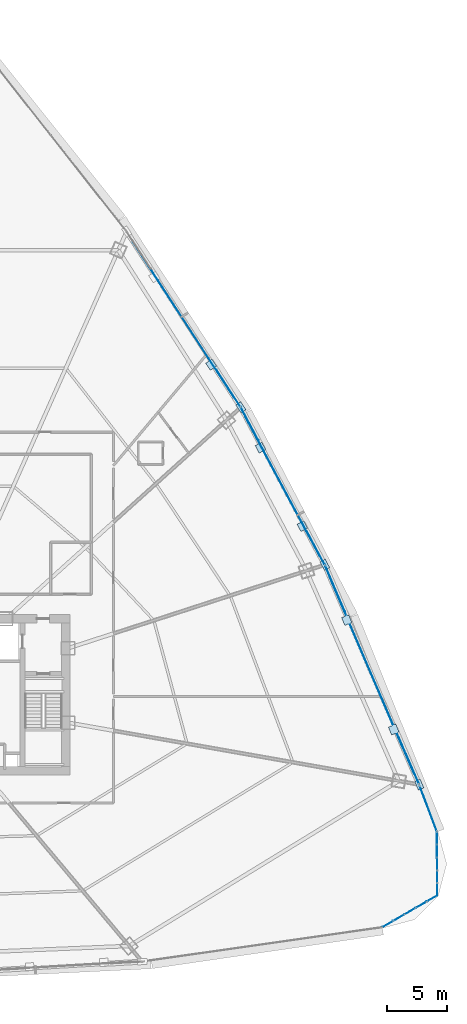
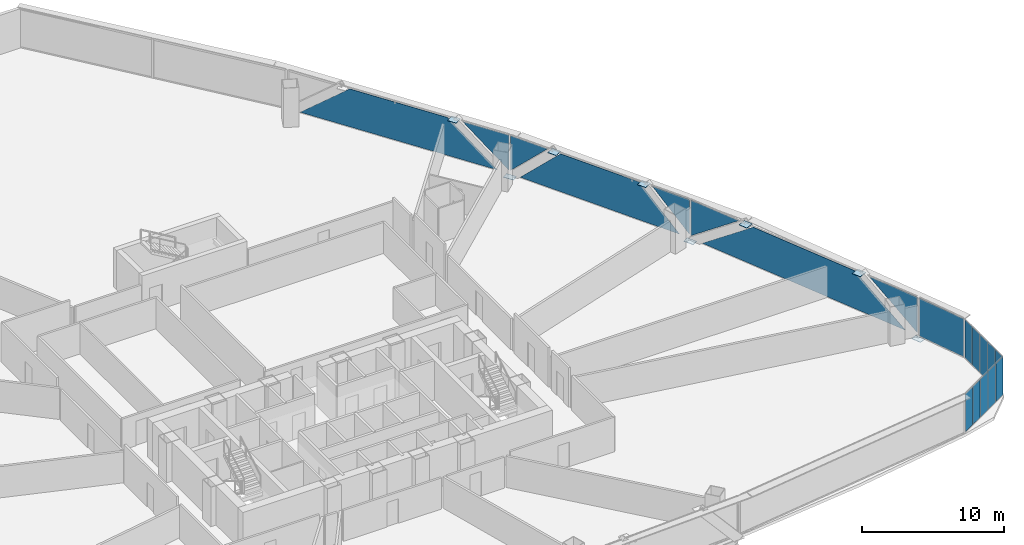
# One storey, part 33 of 42: 27 plates, 6 elements without a shape of their own.
"""IFC4 building model written with IfcOpenShell, lengths in metres."""

from ifc_helpers import new_model, si_unit, direction, frame, origin, origin_2d, place, context, subcontext, project, spatial, polyline, rectangle, outline, extrude, source, transform, mapped, material, layer, layer_set, type_object, element, aggregate, save


model = new_model("IFC4")

# Units and contexts
model_context = context("Model", 3, precision=1e-05, world=origin(), true_north=direction((0.0, 1.0)))
body_context = subcontext(model_context, "Body", "Model", "MODEL_VIEW")
ifc_project = project(units=[si_unit("LENGTHUNIT", "METRE"), si_unit("AREAUNIT", "SQUARE_METRE"), si_unit("VOLUMEUNIT", "CUBIC_METRE"), si_unit("PLANEANGLEUNIT", "RADIAN"), si_unit("MASSUNIT", "GRAM", prefix="KILO"), si_unit("THERMODYNAMICTEMPERATUREUNIT", "KELVIN"), si_unit("POWERUNIT", "WATT")], contexts=[model_context])

# Site, building, storey
site_placement = place(None, origin())
site = spatial("IfcSite", under=ifc_project, at=site_placement, CompositionType="ELEMENT")
building_placement = place(site_placement, origin())
building = spatial("IfcBuilding", under=site, at=building_placement, Name="Yunzhuo Pagoda Commons", CompositionType="ELEMENT")
storey_placement = place(building_placement, frame((0.0, 0.0, 48.550048828125)))
storey = spatial("IfcBuildingStorey", under=building, at=storey_placement, Name="L12", CompositionType="ELEMENT", Elevation=48.550048828125)

# Curtain wall, plates
ifc_material_1 = material(Name="Anodized aluminium 6063-T6", Category="aluminium")
ifc_layer_1 = layer(ifc_material_1, 0.1650390625)
ifc_layer_set_1 = layer_set([ifc_layer_1], Name="Anodized aluminium 6063-T6")
curtain_wall_type_1 = type_object("IfcCurtainWallType", Name="CW-LOW Low-Zone Ribbon Curtain Wall", PredefinedType="NOTDEFINED", material=ifc_layer_set_1)
curtain_wall_1_placement = place(storey_placement, origin())
curtain_wall_1 = element("IfcCurtainWall", 1, at=curtain_wall_1_placement, inside=storey, type_object=curtain_wall_type_1, Name="L12 curtain wall CW-L12-F2B2", PredefinedType="NOTDEFINED")
ifc_material_2 = material(Name="Tempered low-e double glazing", Category="glass")
ifc_layer_2 = layer(ifc_material_2, 0.028076171875)
ifc_layer_set_2 = layer_set([ifc_layer_2], Name="Tempered low-e double glazing")
plate_type_1 = type_object("IfcPlateType", Name="CW-LOW-P Low-E Double Glazing 28", PredefinedType="CURTAIN_PANEL", material=ifc_layer_set_2)
plate_1_placement = place(storey_placement, frame((88.8916015625, 28.322021484375, 1.783447265625), z_axis=(0.918865619656, 0.394570618538, 0.0), x_axis=(-0.394570618538, 0.918865619656, 0.0)))
plate_1 = element("IfcPlate", 2, at=plate_1_placement, type_object=plate_type_1, Name="CW panel 1.1 lite 1", PredefinedType="CURTAIN_PANEL", context=body_context, shape_type="SweptSolid", body=[
    extrude(outline(polyline([(-2.101806640625, -1.526611328125), (2.101806640625, 1.526611328125), (-2.101806640625, 1.526611328125), (-2.101806640625, -1.526611328125)])), origin(), (0.0, 0.0, 1.0), 0.028076171875),
])
plate_2_placement = place(storey_placement, frame((85.775146484375, 35.503662109375, 1.68505859375), z_axis=(0.918865619656, 0.394570618538, 0.0), x_axis=(-0.394570618538, 0.918865619656, 0.0)))
plate_2 = element("IfcPlate", 3, at=plate_2_placement, type_object=plate_type_1, Name="CW panel 1.1 lite 2", PredefinedType="CURTAIN_PANEL", context=body_context, shape_type="SweptSolid", body=[
    extrude(outline(polyline([(-8.908203125, -1.625), (8.908203125, -1.625), (4.43359375, 1.625), (-4.43359375, 1.625), (-8.908203125, -1.625)])), origin(), (0.0, 0.0, 1.0), 0.028076171875),
])
plate_3_placement = place(storey_placement, frame((82.713623046875, 42.708984375, 1.783447265625), z_axis=(0.918865619656, 0.394570618538, 0.0), x_axis=(-0.394570618538, 0.918865619656, 0.0)))
plate_3 = element("IfcPlate", 4, at=plate_3_placement, type_object=plate_type_1, Name="CW panel 1.1 lite 3", PredefinedType="CURTAIN_PANEL", context=body_context, shape_type="SweptSolid", body=[
    extrude(outline(polyline([(-2.101806640625, 1.526611328125), (2.101806640625, -1.526611328125), (2.101806640625, 1.526611328125), (-2.101806640625, 1.526611328125)])), origin(), (0.0, 0.0, 1.0), 0.028076171875),
])
aggregate(curtain_wall_1, [plate_1, plate_2, plate_3])

curtain_wall_2_placement = place(storey_placement, origin())
curtain_wall_2 = element("IfcCurtainWall", 5, at=curtain_wall_2_placement, inside=storey, type_object=curtain_wall_type_1, Name="L12 curtain wall CW-L12-F2B3", PredefinedType="NOTDEFINED")
plate_4_placement = place(storey_placement, frame((81.108642578125, 46.10595703125, 1.821533203125), z_axis=(0.88230916381, 0.470670308662, 0.0), x_axis=(-0.470670308662, 0.88230916381, 0.0)))
plate_4 = element("IfcPlate", 6, at=plate_4_placement, type_object=plate_type_1, Name="CW panel 1.1 lite 1", PredefinedType="CURTAIN_PANEL", context=body_context, shape_type="SweptSolid", body=[
    extrude(outline(polyline([(-1.52978515625, -1.48828125), (1.52978515625, 1.48828125), (-1.52978515625, 1.48828125), (-1.52978515625, -1.48828125)])), origin(), (0.0, 0.0, 1.0), 0.028076171875),
])
plate_5_placement = place(storey_placement, frame((78.320556640625, 51.268798828125, 1.68505859375), z_axis=(0.88230916381, 0.470670308662, 0.0), x_axis=(-0.470670308662, 0.88230916381, 0.0)))
plate_5 = element("IfcPlate", 7, at=plate_5_placement, type_object=plate_type_1, Name="CW panel 1.1 lite 2", PredefinedType="CURTAIN_PANEL", context=body_context, shape_type="SweptSolid", body=[
    extrude(outline(polyline([(-6.58837890625, -1.625), (6.58837890625, -1.625), (3.247802734375, 1.625), (-3.247802734375, 1.625), (-6.58837890625, -1.625)])), origin(), (0.0, 0.0, 1.0), 0.028076171875),
])
plate_6_placement = place(storey_placement, frame((75.58544921875, 56.459716796875, 1.821533203125), z_axis=(0.88230916381, 0.470670308662, 0.0), x_axis=(-0.470670308662, 0.88230916381, 0.0)))
plate_6 = element("IfcPlate", 8, at=plate_6_placement, type_object=plate_type_1, Name="CW panel 1.1 lite 3", PredefinedType="CURTAIN_PANEL", context=body_context, shape_type="SweptSolid", body=[
    extrude(outline(polyline([(-1.52978515625, 1.48828125), (1.52978515625, -1.48828125), (1.52978515625, 1.48828125), (-1.52978515625, 1.48828125)])), origin(), (0.0, 0.0, 1.0), 0.028076171875),
])
aggregate(curtain_wall_2, [plate_4, plate_5, plate_6])

curtain_wall_3_placement = place(storey_placement, origin())
curtain_wall_3 = element("IfcCurtainWall", 9, at=curtain_wall_3_placement, inside=storey, type_object=curtain_wall_type_1, Name="L12 curtain wall CW-L12-F2B4", PredefinedType="NOTDEFINED")
plate_7_placement = place(storey_placement, frame((73.806884765625, 59.449951171875, 1.798583984375), z_axis=(0.838709783089, 0.54457864423, 0.0), x_axis=(-0.54457864423, 0.838709783089, 0.0)))
plate_7 = element("IfcPlate", 10, at=plate_7_placement, type_object=plate_type_1, Name="CW panel 1.1 lite 1", PredefinedType="CURTAIN_PANEL", context=body_context, shape_type="SweptSolid", body=[
    extrude(outline(polyline([(-1.82373046875, -1.51123046875), (1.82373046875, 1.51123046875), (-1.82373046875, 1.51123046875), (-1.82373046875, -1.51123046875)])), origin(), (0.0, 0.0, 1.0), 0.028076171875),
])
plate_8_placement = place(storey_placement, frame((70.03955078125, 65.197265625, 1.68505859375), z_axis=(0.838709783089, 0.54457864423, 0.0), x_axis=(-0.54457864423, 0.838709783089, 0.0)))
plate_8 = element("IfcPlate", 11, at=plate_8_placement, type_object=plate_type_1, Name="CW panel 1.1 lite 2", PredefinedType="CURTAIN_PANEL", context=body_context, shape_type="SweptSolid", body=[
    extrude(outline(polyline([(-7.779052734375, -1.625), (7.779052734375, -1.625), (3.857177734375, 1.625), (-3.857177734375, 1.625), (-7.779052734375, -1.625)])), origin(), (0.0, 0.0, 1.0), 0.028076171875),
])
aggregate(curtain_wall_3, [plate_7, plate_8])

# Plates
ifc_material_3 = material(Name="Structural steel Q355B", Category="steel")
ifc_layer_3 = layer(ifc_material_3, 0.028076171875)
ifc_layer_set_3 = layer_set([ifc_layer_3], Name="Structural steel Q355B")
plate_type_2 = type_object("IfcPlateType", Name="SP-ND1 Lattice Node Cap Plate 800x500x28", PredefinedType="USERDEFINED", material=ifc_layer_set_3)
shared_shape_1 = source(origin(), body_context, "Body", "SweptSolid", [
    extrude(rectangle(XDim=0.800048828125, YDim=0.5, at=origin_2d()), origin(), (0.0, 0.0, 1.0), 0.028076171875),
])
for number, where, z_axis, x_axis, name in (
    (12, (89.759521484375, 26.336669921875, -0.27392578125), (0.0, 0.0, 1.0), (-0.394567453861, 0.918866978596, 0.0), "L12 diamond node plate F2.1A"),
    (13, (81.87158203125, 44.70556640625, -0.27392578125), (0.0, 0.0, 1.0), (-0.470673134105, 0.882307656564, 0.0), "L12 diamond node plate F2.2A"),
    (14, (74.847412109375, 57.873291015625, -0.27392578125), (0.0, 0.0, 1.0), (-0.544580483437, 0.838708588879, 0.0), "L12 diamond node plate F2.3A"),
):
    element("IfcPlate", number, at=place(storey_placement, frame(where, z_axis=z_axis, x_axis=x_axis)), inside=storey, type_object=plate_type_2, Name=name, ObjectType="STIFFENER_PLATE", PredefinedType="USERDEFINED", context=body_context, shape_type="MappedRepresentation", body=[
        mapped(shared_shape_1, transform((0.0, 0.0, 0.0), scale=1.0)),
    ])
shared_shape_2 = source(origin(), body_context, "Body", "SweptSolid", [
    extrude(rectangle(XDim=0.699951171875, YDim=0.672119140625, at=origin_2d()), origin(), (0.0, 0.0, 1.0), 0.035888671875),
])
plate_9_placement = place(storey_placement, frame((87.626953125, 30.9404296875, 3.33203125), z_axis=(0.0, 0.0, 1.0), x_axis=(-0.394567453861, 0.918866978596, 0.0)))
element("IfcPlate", 15, at=plate_9_placement, inside=storey, type_object=plate_type_2, Name="L12 setback lattice tie plate F2.1L", ObjectType="STIFFENER_PLATE", PredefinedType="USERDEFINED", context=body_context, shape_type="MappedRepresentation", body=[
    mapped(shared_shape_2, transform((0.0, 0.0, 0.0), scale=1.0)),
])
shared_shape_3 = source(origin(), body_context, "Body", "SweptSolid", [
    extrude(rectangle(XDim=0.699951171875, YDim=0.640625, at=origin_2d()), origin(), (0.0, 0.0, 1.0), 0.035888671875),
])
plate_10_placement = place(storey_placement, frame((83.700439453125, 40.088134765625, 3.33203125), z_axis=(0.0, 0.0, 1.0), x_axis=(-0.394567453861, 0.918866978596, 0.0)))
element("IfcPlate", 16, at=plate_10_placement, inside=storey, type_object=plate_type_2, Name="L12 setback lattice tie plate F2.1R", ObjectType="STIFFENER_PLATE", PredefinedType="USERDEFINED", context=body_context, shape_type="MappedRepresentation", body=[
    mapped(shared_shape_3, transform((0.0, 0.0, 0.0), scale=1.0)),
])
shared_shape_4 = source(origin(), body_context, "Body", "SweptSolid", [
    extrude(rectangle(XDim=0.699951171875, YDim=0.627685546875, at=origin_2d()), origin(), (0.0, 0.0, 1.0), 0.035888671875),
])
plate_11_placement = place(storey_placement, frame((79.98876953125, 47.941162109375, 3.33203125), z_axis=(0.0, 0.0, 1.0), x_axis=(-0.470673134105, 0.882307656564, 0.0)))
element("IfcPlate", 17, at=plate_11_placement, inside=storey, type_object=plate_type_2, Name="L12 setback lattice tie plate F2.2L", ObjectType="STIFFENER_PLATE", PredefinedType="USERDEFINED", context=body_context, shape_type="MappedRepresentation", body=[
    mapped(shared_shape_4, transform((0.0, 0.0, 0.0), scale=1.0)),
])
shared_shape_5 = source(origin(), body_context, "Body", "SweptSolid", [
    extrude(rectangle(XDim=0.699951171875, YDim=0.627197265625, at=origin_2d()), origin(), (0.0, 0.0, 1.0), 0.035888671875),
])
plate_12_placement = place(storey_placement, frame((76.4912109375, 54.5, 3.33203125), z_axis=(0.0, 0.0, 1.0), x_axis=(-0.470673134105, 0.882307656564, 0.0)))
element("IfcPlate", 18, at=plate_12_placement, inside=storey, type_object=plate_type_2, Name="L12 setback lattice tie plate F2.2R", ObjectType="STIFFENER_PLATE", PredefinedType="USERDEFINED", context=body_context, shape_type="MappedRepresentation", body=[
    mapped(shared_shape_5, transform((0.0, 0.0, 0.0), scale=1.0)),
])
shared_shape_6 = source(origin(), body_context, "Body", "SweptSolid", [
    extrude(rectangle(XDim=0.699951171875, YDim=0.63818359375, at=origin_2d()), origin(), (0.0, 0.0, 1.0), 0.035888671875),
])
plate_13_placement = place(storey_placement, frame((72.36669921875, 61.43896484375, 3.33203125), z_axis=(0.0, 0.0, 1.0), x_axis=(-0.544580483437, 0.838708588879, 0.0)))
element("IfcPlate", 19, at=plate_13_placement, inside=storey, type_object=plate_type_2, Name="L12 setback lattice tie plate F2.3L", ObjectType="STIFFENER_PLATE", PredefinedType="USERDEFINED", context=body_context, shape_type="MappedRepresentation", body=[
    mapped(shared_shape_6, transform((0.0, 0.0, 0.0), scale=1.0)),
])

# Curtain wall, plate
curtain_wall_4_placement = place(storey_placement, origin())
curtain_wall_4 = element("IfcCurtainWall", 20, at=curtain_wall_4_placement, inside=storey, type_object=curtain_wall_type_1, Name="L12 curtain wall CW-L12-F2B1", PredefinedType="NOTDEFINED")
shared_shape_7 = source(origin(), body_context, "Body", "SweptSolid", [
    extrude(rectangle(XDim=4.019775390625, YDim=0.028076171875, at=origin_2d()), origin(), (0.0, 0.0, 1.0), 3.25),
])
plate_14_placement = place(storey_placement, frame((90.518798828125, 24.3251953125, 0.06005859375), z_axis=(0.0, 0.0, 1.0), x_axis=(-0.353150780113, 0.935566420146, 0.0)))
plate_14 = element("IfcPlate", 21, at=plate_14_placement, type_object=plate_type_1, Name="CW panel 1.1", PredefinedType="CURTAIN_PANEL", context=body_context, shape_type="MappedRepresentation", body=[
    mapped(shared_shape_7, transform((0.0, 0.0, 0.0), scale=1.0)),
])
aggregate(curtain_wall_4, [plate_14])

# Curtain wall, plates
ifc_layer_4 = layer(ifc_material_1, 0.1298828125)
ifc_layer_set_4 = layer_set([ifc_layer_4], Name="Anodized aluminium 6063-T6")
curtain_wall_type_2 = type_object("IfcCurtainWallType", Name="CW-VTX Rounded Corner Curtain Wall", PredefinedType="NOTDEFINED", material=ifc_layer_set_4)
curtain_wall_5_placement = place(storey_placement, origin())
curtain_wall_5 = element("IfcCurtainWall", 22, at=curtain_wall_5_placement, inside=storey, type_object=curtain_wall_type_2, Name="L12 curtain wall CW-L12-VTX2S1", PredefinedType="NOTDEFINED")
ifc_layer_5 = layer(ifc_material_2, 0.02587890625)
ifc_layer_set_5 = layer_set([ifc_layer_5], Name="Tempered low-e double glazing")
plate_type_3 = type_object("IfcPlateType", Name="CW-VTX-P Low-E Double Glazing 26", PredefinedType="CURTAIN_PANEL", material=ifc_layer_set_5)
shared_shape_8 = source(origin(), body_context, "Body", "SweptSolid", [
    extrude(rectangle(XDim=0.990478515625, YDim=0.028076171875, at=origin_2d()), origin(), (0.0, 0.0, 1.0), 3.260009765625),
])
plate_15_placement = place(storey_placement, frame((87.144287109375, 14.677001953125, 0.05517578125), z_axis=(0.0, 0.0, 1.0), x_axis=(0.865423307498, 0.501041414295, 0.0)))
plate_15 = element("IfcPlate", 23, at=plate_15_placement, type_object=plate_type_3, Name="CW panel 1.1", PredefinedType="CURTAIN_PANEL", context=body_context, shape_type="MappedRepresentation", body=[
    mapped(shared_shape_8, transform((0.0, 0.0, 0.0), scale=1.0)),
])
plate_16_placement = place(storey_placement, frame((90.83447265625, 16.8134765625, 0.05517578125), z_axis=(0.0, 0.0, 1.0), x_axis=(0.865423307498, 0.501041414295, 0.0)))
plate_16 = element("IfcPlate", 24, at=plate_16_placement, type_object=plate_type_3, Name="CW panel 5.1", PredefinedType="CURTAIN_PANEL", context=body_context, shape_type="MappedRepresentation", body=[
    mapped(shared_shape_8, transform((0.0, 0.0, 0.0), scale=1.0)),
])

curtain_wall_6_placement = place(storey_placement, origin())
curtain_wall_6 = element("IfcCurtainWall", 25, at=curtain_wall_6_placement, inside=storey, type_object=curtain_wall_type_2, Name="L12 curtain wall CW-L12-VTX2S2", PredefinedType="NOTDEFINED")
plate_17_placement = place(storey_placement, frame((91.268798828125, 17.56982421875, 0.05517578125), z_axis=(0.0, 0.0, 1.0), x_axis=(-0.003579061808, 0.999993595138, 0.0)))
plate_17 = element("IfcPlate", 26, at=plate_17_placement, type_object=plate_type_3, Name="CW panel 1.1", PredefinedType="CURTAIN_PANEL", context=body_context, shape_type="MappedRepresentation", body=[
    mapped(shared_shape_8, transform((0.0, 0.0, 0.0), scale=1.0)),
])
plate_18_placement = place(storey_placement, frame((91.25341796875, 21.833984375, 0.05517578125), z_axis=(0.0, 0.0, 1.0), x_axis=(-0.003579061808, 0.999993595138, 0.0)))
plate_18 = element("IfcPlate", 27, at=plate_18_placement, type_object=plate_type_3, Name="CW panel 5.1", PredefinedType="CURTAIN_PANEL", context=body_context, shape_type="MappedRepresentation", body=[
    mapped(shared_shape_8, transform((0.0, 0.0, 0.0), scale=1.0)),
])

# Plate
shared_shape_9 = source(origin(), body_context, "Body", "SweptSolid", [
    extrude(rectangle(XDim=1.017822265625, YDim=0.028076171875, at=origin_2d()), origin(), (0.0, 0.0, 1.0), 3.260009765625),
])
plate_19_placement = place(storey_placement, frame((88.060791015625, 15.20751953125, 0.05517578125), z_axis=(0.0, 0.0, 1.0), x_axis=(0.865423307498, 0.501041414295, 0.0)))
plate_19 = element("IfcPlate", 28, at=plate_19_placement, type_object=plate_type_3, Name="CW panel 2.1", PredefinedType="CURTAIN_PANEL", context=body_context, shape_type="MappedRepresentation", body=[
    mapped(shared_shape_9, transform((0.0, 0.0, 0.0), scale=1.0)),
])

plate_20_placement = place(storey_placement, frame((88.9892578125, 15.7451171875, 0.05517578125), z_axis=(0.0, 0.0, 1.0), x_axis=(0.865423307498, 0.501041414295, 0.0)))
plate_20 = element("IfcPlate", 29, at=plate_20_placement, type_object=plate_type_3, Name="CW panel 3.1", PredefinedType="CURTAIN_PANEL", context=body_context, shape_type="MappedRepresentation", body=[
    mapped(shared_shape_9, transform((0.0, 0.0, 0.0), scale=1.0)),
])

plate_21_placement = place(storey_placement, frame((89.91796875, 16.28271484375, 0.05517578125), z_axis=(0.0, 0.0, 1.0), x_axis=(0.865423307498, 0.501041414295, 0.0)))
plate_21 = element("IfcPlate", 30, at=plate_21_placement, type_object=plate_type_3, Name="CW panel 4.1", PredefinedType="CURTAIN_PANEL", context=body_context, shape_type="MappedRepresentation", body=[
    mapped(shared_shape_9, transform((0.0, 0.0, 0.0), scale=1.0)),
])

aggregate(curtain_wall_5, [plate_15, plate_19, plate_20, plate_21, plate_16])

plate_22_placement = place(storey_placement, frame((91.264892578125, 18.62890625, 0.05517578125), z_axis=(0.0, 0.0, 1.0), x_axis=(-0.003579061808, 0.999993595138, 0.0)))
plate_22 = element("IfcPlate", 31, at=plate_22_placement, type_object=plate_type_3, Name="CW panel 2.1", PredefinedType="CURTAIN_PANEL", context=body_context, shape_type="MappedRepresentation", body=[
    mapped(shared_shape_9, transform((0.0, 0.0, 0.0), scale=1.0)),
])

plate_23_placement = place(storey_placement, frame((91.260986328125, 19.701904296875, 0.05517578125), z_axis=(0.0, 0.0, 1.0), x_axis=(-0.003579061808, 0.999993595138, 0.0)))
plate_23 = element("IfcPlate", 32, at=plate_23_placement, type_object=plate_type_3, Name="CW panel 3.1", PredefinedType="CURTAIN_PANEL", context=body_context, shape_type="MappedRepresentation", body=[
    mapped(shared_shape_9, transform((0.0, 0.0, 0.0), scale=1.0)),
])

plate_24_placement = place(storey_placement, frame((91.25732421875, 20.774658203125, 0.05517578125), z_axis=(0.0, 0.0, 1.0), x_axis=(-0.003579061808, 0.999993595138, 0.0)))
plate_24 = element("IfcPlate", 33, at=plate_24_placement, type_object=plate_type_3, Name="CW panel 4.1", PredefinedType="CURTAIN_PANEL", context=body_context, shape_type="MappedRepresentation", body=[
    mapped(shared_shape_9, transform((0.0, 0.0, 0.0), scale=1.0)),
])

aggregate(curtain_wall_6, [plate_17, plate_22, plate_23, plate_24, plate_18])

save(model, "model.ifc")
